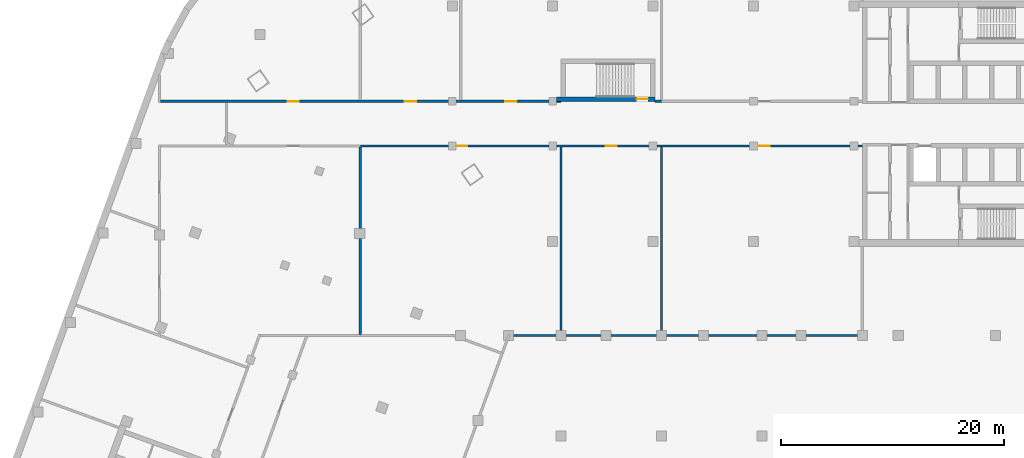
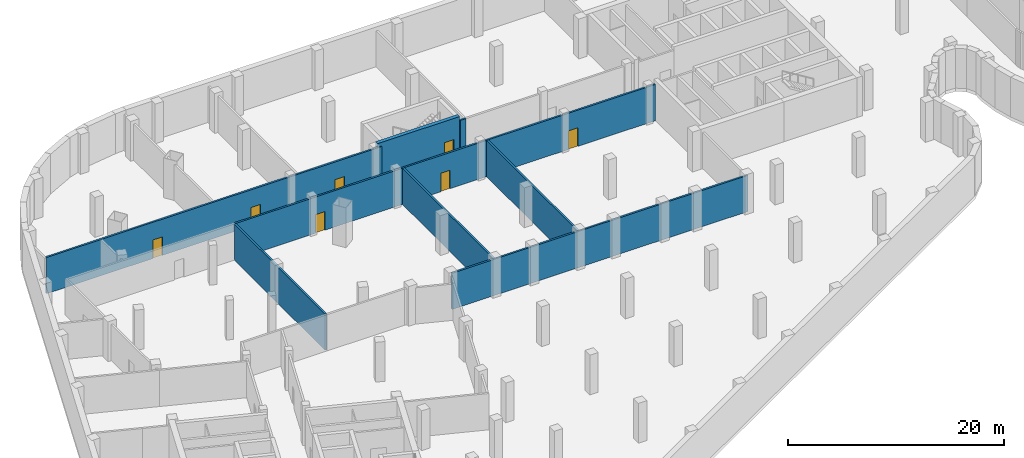
# One storey, part 5 of 16: 8 walls, 7 doors, 7 openings.
"""IFC4 building model written with IfcOpenShell, lengths in metres."""

from ifc_helpers import new_model, si_unit, direction, frame, frame_2d, origin, place, context, subcontext, project, spatial, rectangle, extrude, material, layer, layer_set, type_object, element, fill, save


model = new_model("IFC4")

# Units and contexts
model_context = context("Model", 3, precision=1e-05, world=origin(), true_north=direction((0.0, 1.0)))
body_context = subcontext(model_context, "Body", "Model", "MODEL_VIEW")
ifc_project = project(units=[si_unit("LENGTHUNIT", "METRE"), si_unit("AREAUNIT", "SQUARE_METRE"), si_unit("VOLUMEUNIT", "CUBIC_METRE"), si_unit("PLANEANGLEUNIT", "RADIAN"), si_unit("MASSUNIT", "GRAM", prefix="KILO")], contexts=[model_context])

# Site, building, storey
site_placement = place(None, origin())
site = spatial("IfcSite", under=ifc_project, at=site_placement, CompositionType="ELEMENT")
building_placement = place(site_placement, origin())
building = spatial("IfcBuilding", under=site, at=building_placement, Name="Skarvind Civic Tower", CompositionType="ELEMENT")
storey_placement = place(building_placement, frame((0.0, 0.0, -4.5)))
storey = spatial("IfcBuildingStorey", under=building, at=storey_placement, Name="B1", CompositionType="ELEMENT", Elevation=-4.5)

# Wall, opening, door
ifc_material_1 = material(Name="Concrete C80", Category="concrete")
ifc_layer_1 = layer(ifc_material_1, 0.39990234375)
ifc_layer_set_1 = layer_set([ifc_layer_1], Name="Core wall 400 C80")
wall_type_1 = type_object("IfcWallType", Name="Core wall 400 C80", PredefinedType="SHEAR", material=ifc_layer_set_1)
wall_1_placement = place(storey_placement, frame((63.60009765625, 130.199951171875, 0.0), z_axis=(0.0, 0.0, 1.0), x_axis=(1.0, 0.0, 0.0)))
wall_1 = element("IfcWall", 1, at=wall_1_placement, inside=storey, type_object=wall_type_1, Name="Core wall CM inner B1", PredefinedType="SHEAR", context=body_context, shape_type="SweptSolid", body=[
    extrude(rectangle(XDim=8.7998046875, YDim=0.39990234375, at=frame_2d((4.39990234375, 0.0))), origin(), (0.0, 0.0, 1.0), 4.5),
])
opening_1_placement = place(wall_1_placement, frame((7.175048828125, 0.0, 0.0)))
opening_1 = element("IfcOpeningElement", 2, at=opening_1_placement, cuts=wall_1, Name="Opening D-B1-CM-01", PredefinedType="OPENING", context=body_context, shape_type="SweptSolid", body=[
    extrude(rectangle(XDim=1.0, YDim=2.10009765625, at=frame_2d((0.5, 1.050048828125))), frame((0.0, 0.2099609375, 0.0), z_axis=(0.0, -1.0, 0.0), x_axis=(1.0, 0.0, 0.0)), (0.0, 0.0, 1.0), 0.419921875),
])
ifc_material_2 = material(Name="Fire-rated steel door", Category="steel")
door_type_1 = type_object("IfcDoorType", Name="Fire door 1000", OperationType="NOTDEFINED", PredefinedType="DOOR", material=ifc_material_2)
door_1_placement = place(opening_1_placement, origin())
door_1 = element("IfcDoor", 3, at=door_1_placement, inside=storey, type_object=door_type_1, Name="Fire door", OperationType="SINGLE_SWING_LEFT", OverallHeight=2.10009765625, OverallWidth=1.0, PredefinedType="DOOR", context=body_context, shape_type="SweptSolid", body=[
    extrude(rectangle(XDim=1.0, YDim=2.10009765625, at=frame_2d((0.5, 1.050048828125))), frame((0.0, 0.02490234375, 0.0), z_axis=(0.0, -1.0, 0.0), x_axis=(1.0, 0.0, 0.0)), (0.0, 0.0, 1.0), 0.050048828125),
])
fill(opening_1, door_1)

# Wall
ifc_material_3 = material(Name="Fire-rated blockwork wall, plastered", Category="masonry")
ifc_layer_2 = layer(ifc_material_3, 0.199951171875)
ifc_layer_set_2 = layer_set([ifc_layer_2], Name="FIRE WALL 200 EI 120")
wall_type_2 = type_object("IfcWallType", Name="FIRE WALL 200 EI 120", PredefinedType="PARTITIONING", material=ifc_layer_set_2)
wall_2_placement = place(storey_placement, frame((46.0, 109.10009765625, 0.0), z_axis=(0.0, 0.0, 1.0), x_axis=(0.0, 1.0, 0.0)))
element("IfcWall", 4, at=wall_2_placement, inside=storey, type_object=wall_type_2, Name="Basement partition B1 016", PredefinedType="PARTITIONING", context=body_context, shape_type="SweptSolid", body=[
    extrude(rectangle(XDim=16.7998046875, YDim=0.199951171875, at=frame_2d((8.39990234375, 0.0))), origin(), (0.0, 0.0, 1.0), 4.10009765625),
])

# Wall, openings, doors
ifc_layer_3 = layer(ifc_material_3, 0.199951171875)
ifc_layer_set_3 = layer_set([ifc_layer_3], Name="FIRE WALL 200 EI 60")
wall_type_3 = type_object("IfcWallType", Name="FIRE WALL 200 EI 60", PredefinedType="PARTITIONING", material=ifc_layer_set_3)
wall_3_placement = place(storey_placement, frame((28.10009765625, 130.0, 0.0), z_axis=(0.0, 0.0, 1.0), x_axis=(1.0, 0.0, 0.0)))
wall_3 = element("IfcWall", 5, at=wall_3_placement, inside=storey, type_object=wall_type_3, Name="Basement partition B1 008", PredefinedType="PARTITIONING", context=body_context, shape_type="SweptSolid", body=[
    extrude(rectangle(XDim=35.89990234375, YDim=0.199951171875, at=frame_2d((17.949951171875, 0.0))), origin(), (0.0, 0.0, 1.0), 4.10009765625),
])
opening_2_placement = place(wall_3_placement, frame((11.402099609375, 0.0, 0.0)))
opening_2 = element("IfcOpeningElement", 6, at=opening_2_placement, cuts=wall_3, Name="Opening B1-D206", PredefinedType="OPENING", context=body_context, shape_type="SweptSolid", body=[
    extrude(rectangle(XDim=1.0, YDim=2.10009765625, at=frame_2d((0.5, 1.050048828125))), frame((0.0, 0.10986328125, 0.0), z_axis=(0.0, -1.0, 0.0), x_axis=(1.0, 0.0, 0.0)), (0.0, 0.0, 1.0), 0.219970703125),
])
opening_3_placement = place(wall_3_placement, frame((21.89990234375, 0.0, 0.0)))
opening_3 = element("IfcOpeningElement", 7, at=opening_3_placement, cuts=wall_3, Name="Opening B1-D207", PredefinedType="OPENING", context=body_context, shape_type="SweptSolid", body=[
    extrude(rectangle(XDim=1.0, YDim=2.10009765625, at=frame_2d((0.5, 1.050048828125))), frame((0.0, 0.10986328125, 0.0), z_axis=(0.0, -1.0, 0.0), x_axis=(1.0, 0.0, 0.0)), (0.0, 0.0, 1.0), 0.219970703125),
])
opening_4_placement = place(wall_3_placement, frame((30.89794921875, 0.0, 0.0)))
opening_4 = element("IfcOpeningElement", 8, at=opening_4_placement, cuts=wall_3, Name="Opening B1-D209", PredefinedType="OPENING", context=body_context, shape_type="SweptSolid", body=[
    extrude(rectangle(XDim=1.0, YDim=2.10009765625, at=frame_2d((0.5, 1.050048828125))), frame((0.0, 0.10986328125, 0.0), z_axis=(0.0, -1.0, 0.0), x_axis=(1.0, 0.0, 0.0)), (0.0, 0.0, 1.0), 0.219970703125),
])
ifc_material_4 = material(Name="Painted steel fire door leaf", Category="steel")
door_type_2 = type_object("IfcDoorType", Name="FIRE DOOR 1000X2100 STEEL", OperationType="NOTDEFINED", PredefinedType="DOOR", material=ifc_material_4)
door_2_placement = place(opening_2_placement, origin())
door_2 = element("IfcDoor", 9, at=door_2_placement, inside=storey, type_object=door_type_2, Name="FIRE DOOR", OperationType="SINGLE_SWING_RIGHT", OverallHeight=2.10009765625, OverallWidth=1.0, PredefinedType="DOOR", context=body_context, shape_type="SweptSolid", body=[
    extrude(rectangle(XDim=1.0, YDim=2.10009765625, at=frame_2d((0.5, 1.050048828125))), frame((0.0, 0.02490234375, 0.0), z_axis=(0.0, -1.0, 0.0), x_axis=(1.0, 0.0, 0.0)), (0.0, 0.0, 1.0), 0.050048828125),
])
fill(opening_2, door_2)
door_3_placement = place(opening_3_placement, origin())
door_3 = element("IfcDoor", 10, at=door_3_placement, inside=storey, type_object=door_type_2, Name="FIRE DOOR", OperationType="SINGLE_SWING_LEFT", OverallHeight=2.10009765625, OverallWidth=1.0, PredefinedType="DOOR", context=body_context, shape_type="SweptSolid", body=[
    extrude(rectangle(XDim=1.0, YDim=2.10009765625, at=frame_2d((0.5, 1.050048828125))), frame((0.0, 0.02490234375, 0.0), z_axis=(0.0, -1.0, 0.0), x_axis=(1.0, 0.0, 0.0)), (0.0, 0.0, 1.0), 0.050048828125),
])
fill(opening_3, door_3)
door_4_placement = place(opening_4_placement, origin())
door_4 = element("IfcDoor", 11, at=door_4_placement, inside=storey, type_object=door_type_2, Name="FIRE DOOR", OperationType="SINGLE_SWING_RIGHT", OverallHeight=2.10009765625, OverallWidth=1.0, PredefinedType="DOOR", context=body_context, shape_type="SweptSolid", body=[
    extrude(rectangle(XDim=1.0, YDim=2.10009765625, at=frame_2d((0.5, 1.050048828125))), frame((0.0, 0.02490234375, 0.0), z_axis=(0.0, -1.0, 0.0), x_axis=(1.0, 0.0, 0.0)), (0.0, 0.0, 1.0), 0.050048828125),
])
fill(opening_4, door_4)

wall_4_placement = place(storey_placement, frame((91.0, 126.0, 0.0), z_axis=(0.0, 0.0, 1.0), x_axis=(-1.0, 0.0, 0.0)))
wall_4 = element("IfcWall", 12, at=wall_4_placement, inside=storey, type_object=wall_type_3, Name="Basement partition B1 018", PredefinedType="PARTITIONING", context=body_context, shape_type="SweptSolid", body=[
    extrude(rectangle(XDim=45.0, YDim=0.199951171875, at=frame_2d((22.5, 0.0))), origin(), (0.0, 0.0, 1.0), 4.10009765625),
])
opening_5_placement = place(wall_4_placement, frame((35.39990234375, 0.0, 0.0)))
opening_5 = element("IfcOpeningElement", 13, at=opening_5_placement, cuts=wall_4, Name="Opening B1-D208", PredefinedType="OPENING", context=body_context, shape_type="SweptSolid", body=[
    extrude(rectangle(XDim=1.0, YDim=2.10009765625, at=frame_2d((0.5, 1.050048828125))), frame((0.0, 0.10986328125, 0.0), z_axis=(0.0, -1.0, 0.0), x_axis=(1.0, 0.0, 0.0)), (0.0, 0.0, 1.0), 0.219970703125),
])
opening_6_placement = place(wall_4_placement, frame((22.0, 0.0, 0.0)))
opening_6 = element("IfcOpeningElement", 14, at=opening_6_placement, cuts=wall_4, Name="Opening B1-D210", PredefinedType="OPENING", context=body_context, shape_type="SweptSolid", body=[
    extrude(rectangle(XDim=1.0, YDim=2.10009765625, at=frame_2d((0.5, 1.050048828125))), frame((0.0, 0.10986328125, 0.0), z_axis=(0.0, -1.0, 0.0), x_axis=(1.0, 0.0, 0.0)), (0.0, 0.0, 1.0), 0.219970703125),
])
opening_7_placement = place(wall_4_placement, frame((8.302001953125, 0.0, 0.0)))
opening_7 = element("IfcOpeningElement", 15, at=opening_7_placement, cuts=wall_4, Name="Opening B1-D211", PredefinedType="OPENING", context=body_context, shape_type="SweptSolid", body=[
    extrude(rectangle(XDim=1.0, YDim=2.10009765625, at=frame_2d((0.5, 1.050048828125))), frame((0.0, 0.10986328125, 0.0), z_axis=(0.0, -1.0, 0.0), x_axis=(1.0, 0.0, 0.0)), (0.0, 0.0, 1.0), 0.219970703125),
])
door_5_placement = place(opening_5_placement, origin())
door_5 = element("IfcDoor", 16, at=door_5_placement, inside=storey, type_object=door_type_2, Name="FIRE DOOR", OperationType="SINGLE_SWING_LEFT", OverallHeight=2.10009765625, OverallWidth=1.0, PredefinedType="DOOR", context=body_context, shape_type="SweptSolid", body=[
    extrude(rectangle(XDim=1.0, YDim=2.10009765625, at=frame_2d((0.5, 1.050048828125))), frame((0.0, 0.02490234375, 0.0), z_axis=(0.0, -1.0, 0.0), x_axis=(1.0, 0.0, 0.0)), (0.0, 0.0, 1.0), 0.050048828125),
])
fill(opening_5, door_5)
door_6_placement = place(opening_6_placement, origin())
door_6 = element("IfcDoor", 17, at=door_6_placement, inside=storey, type_object=door_type_2, Name="FIRE DOOR", OperationType="SINGLE_SWING_RIGHT", OverallHeight=2.10009765625, OverallWidth=1.0, PredefinedType="DOOR", context=body_context, shape_type="SweptSolid", body=[
    extrude(rectangle(XDim=1.0, YDim=2.10009765625, at=frame_2d((0.5, 1.050048828125))), frame((0.0, 0.02490234375, 0.0), z_axis=(0.0, -1.0, 0.0), x_axis=(1.0, 0.0, 0.0)), (0.0, 0.0, 1.0), 0.050048828125),
])
fill(opening_6, door_6)
door_7_placement = place(opening_7_placement, origin())
door_7 = element("IfcDoor", 18, at=door_7_placement, inside=storey, type_object=door_type_2, Name="FIRE DOOR", OperationType="SINGLE_SWING_LEFT", OverallHeight=2.10009765625, OverallWidth=1.0, PredefinedType="DOOR", context=body_context, shape_type="SweptSolid", body=[
    extrude(rectangle(XDim=1.0, YDim=2.10009765625, at=frame_2d((0.5, 1.050048828125))), frame((0.0, 0.02490234375, 0.0), z_axis=(0.0, -1.0, 0.0), x_axis=(1.0, 0.0, 0.0)), (0.0, 0.0, 1.0), 0.050048828125),
])
fill(opening_7, door_7)

# Walls
wall_5_placement = place(storey_placement, frame((59.409912109375, 109.0, 0.0), z_axis=(0.0, 0.0, 1.0), x_axis=(1.0, 0.0, 0.0)))
element("IfcWall", 19, at=wall_5_placement, inside=storey, type_object=wall_type_3, Name="Basement partition B1 025", PredefinedType="PARTITIONING", context=body_context, shape_type="SweptSolid", body=[
    extrude(rectangle(XDim=31.690185546875, YDim=0.199951171875, at=frame_2d((15.84521484375, 0.0))), origin(), (0.0, 0.0, 1.0), 4.10009765625),
])
wall_6_placement = place(storey_placement, frame((64.0, 109.10009765625, 0.0), z_axis=(0.0, 0.0, 1.0), x_axis=(0.0, 1.0, 0.0)))
element("IfcWall", 20, at=wall_6_placement, inside=storey, type_object=wall_type_3, Name="Basement partition B1 026", PredefinedType="PARTITIONING", context=body_context, shape_type="SweptSolid", body=[
    extrude(rectangle(XDim=16.7998046875, YDim=0.199951171875, at=frame_2d((8.39990234375, 0.0))), origin(), (0.0, 0.0, 1.0), 4.10009765625),
])
wall_7_placement = place(storey_placement, frame((72.39990234375, 130.0, 0.0), z_axis=(0.0, 0.0, 1.0), x_axis=(1.0, 0.0, 0.0)))
element("IfcWall", 21, at=wall_7_placement, inside=storey, type_object=wall_type_3, Name="Basement partition B1 027", PredefinedType="PARTITIONING", context=body_context, shape_type="SweptSolid", body=[
    extrude(rectangle(XDim=0.60009765625, YDim=0.199951171875, at=frame_2d((0.300048828125, 0.0))), origin(), (0.0, 0.0, 1.0), 4.10009765625),
])
wall_8_placement = place(storey_placement, frame((73.0, 109.10009765625, 0.0), z_axis=(0.0, 0.0, 1.0), x_axis=(0.0, 1.0, 0.0)))
element("IfcWall", 22, at=wall_8_placement, inside=storey, type_object=wall_type_3, Name="Basement partition B1 028", PredefinedType="PARTITIONING", context=body_context, shape_type="SweptSolid", body=[
    extrude(rectangle(XDim=16.7998046875, YDim=0.199951171875, at=frame_2d((8.39990234375, 0.0))), origin(), (0.0, 0.0, 1.0), 4.10009765625),
])

save(model, "model.ifc")
